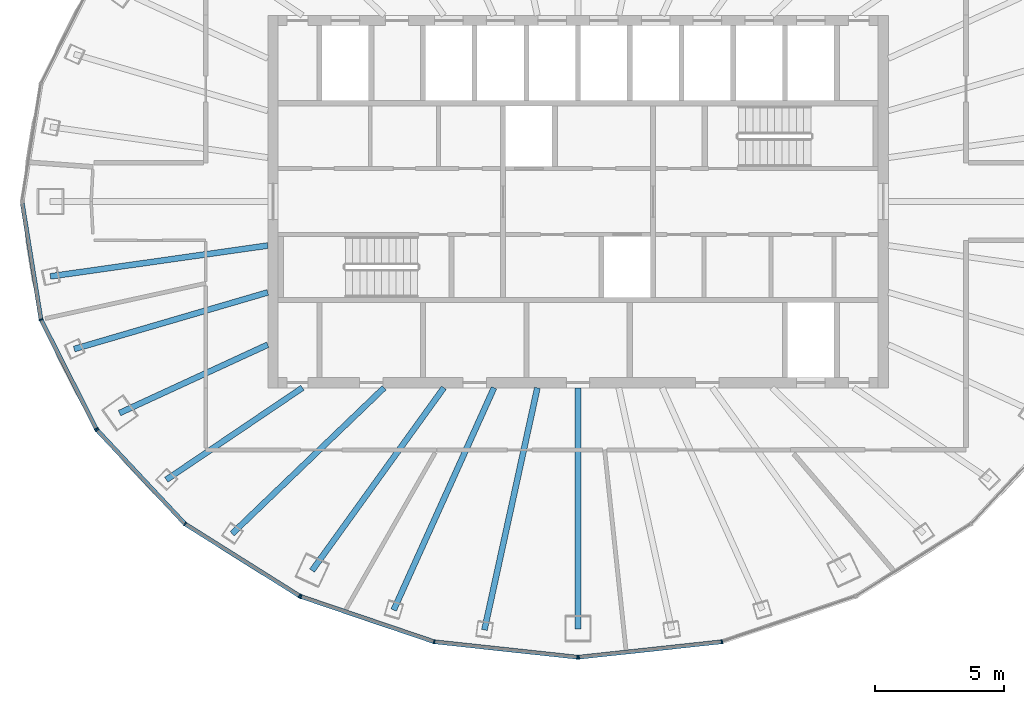
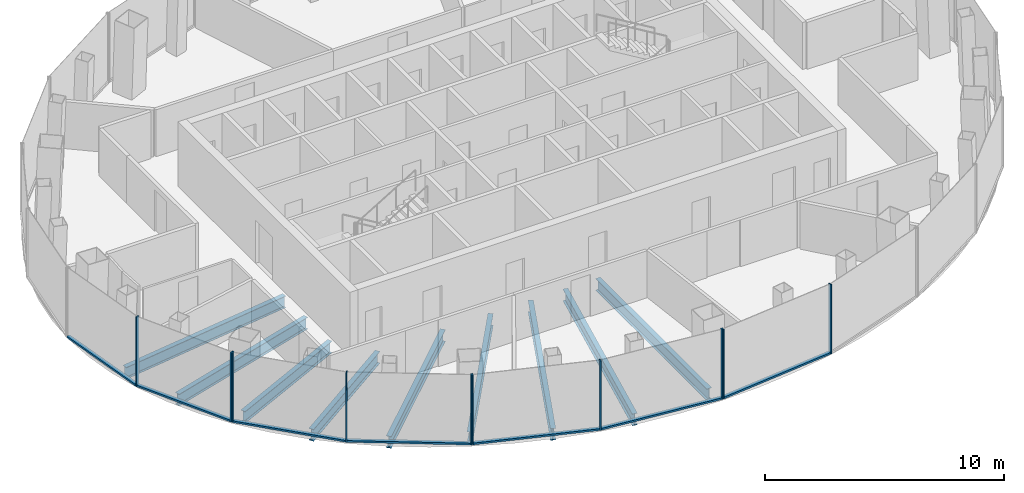
# One storey, part 2 of 12: 17 members, 9 beams, 4 elements without a shape of their own.
"""IFC4 building model written with IfcOpenShell, lengths in metres."""

from ifc_helpers import new_model, si_unit, direction, frame, origin, origin_2d, place, context, subcontext, project, spatial, rectangle, i_section, extrude, material, layer, layer_set, material_profile, profile_set, type_object, element, aggregate, save


model = new_model("IFC4")

# Units and contexts
model_context = context("Model", 3, precision=1e-05, world=origin(), true_north=direction((0.0, 1.0)))
body_context = subcontext(model_context, "Body", "Model", "MODEL_VIEW")
ifc_project = project(units=[si_unit("LENGTHUNIT", "METRE"), si_unit("AREAUNIT", "SQUARE_METRE"), si_unit("VOLUMEUNIT", "CUBIC_METRE"), si_unit("PLANEANGLEUNIT", "RADIAN"), si_unit("MASSUNIT", "GRAM", prefix="KILO")], contexts=[model_context])

# Site, building, storey
site_placement = place(None, origin())
site = spatial("IfcSite", under=ifc_project, at=site_placement, CompositionType="ELEMENT")
building_placement = place(site_placement, origin())
building = spatial("IfcBuilding", under=site, at=building_placement, Name="Siaravel Broadcast Tower", CompositionType="ELEMENT")
storey_placement = place(building_placement, frame((0.0, 0.0, 231.89990234375)))
storey = spatial("IfcBuildingStorey", under=building, at=storey_placement, Name="L56", CompositionType="ELEMENT", Elevation=231.89990234375)

# Beams
ifc_material_1 = material(Name="Steel S355", Category="steel")
ifc_material_profile_1 = material_profile(ifc_material_1, i_section(OverallWidth=0.2275390625, OverallDepth=0.6025390625, WebThickness=0.010498046875, FlangeThickness=0.014892578125, FilletRadius=0.0126953125, at=origin_2d()))
ifc_profile_set_1 = profile_set([ifc_material_profile_1], Name="Steel S355")
beam_type = type_object("IfcBeamType", Name="BM-UB 610x229x101", PredefinedType="BEAM", material=ifc_profile_set_1)
beam_1_placement = place(storey_placement, frame((-20.406982421875, -2.89208984375, -0.451171875), z_axis=(0.990107016, 0.14031428, 0.0), x_axis=(-0.14031428, 0.990107016, 0.0)))
element("IfcBeam", 1, at=beam_1_placement, inside=storey, type_object=beam_type, Name="Radial beam RB20", PredefinedType="BEAM", context=body_context, shape_type="SweptSolid", body=[
    extrude(i_section(OverallWidth=0.2275390625, OverallDepth=0.6025390625, WebThickness=0.010498046875, FlangeThickness=0.014892578125, FilletRadius=0.0126953125, at=origin_2d()), origin(), (0.0, 0.0, 1.0), 8.490966796875),
])
beam_2_placement = place(storey_placement, frame((-19.4873046875, -5.702880859375, -0.451171875), z_axis=(0.959745843, 0.280869928, 0.0), x_axis=(-0.280869928, 0.959745843, 0.0)))
element("IfcBeam", 2, at=beam_2_placement, inside=storey, type_object=beam_type, Name="Radial beam RB21", PredefinedType="BEAM", context=body_context, shape_type="SweptSolid", body=[
    extrude(i_section(OverallWidth=0.2275390625, OverallDepth=0.6025390625, WebThickness=0.010498046875, FlangeThickness=0.014892578125, FilletRadius=0.0126953125, at=origin_2d()), origin(), (0.0, 0.0, 1.0), 7.80126953125),
])
beam_3_placement = place(storey_placement, frame((-17.734375, -8.17822265625, -0.451171875), z_axis=(0.90810078, 0.418751684, 0.0), x_axis=(-0.418751684, 0.90810078, 0.0)))
element("IfcBeam", 3, at=beam_3_placement, inside=storey, type_object=beam_type, Name="Radial beam RB22", PredefinedType="BEAM", context=body_context, shape_type="SweptSolid", body=[
    extrude(i_section(OverallWidth=0.2275390625, OverallDepth=0.6025390625, WebThickness=0.010498046875, FlangeThickness=0.014892578125, FilletRadius=0.0126953125, at=origin_2d()), origin(), (0.0, 0.0, 1.0), 6.314697265625),
])
beam_4_placement = place(storey_placement, frame((-15.92333984375, -10.756103515625, -0.451171875), z_axis=(0.828653044, 0.559762568, 0.0), x_axis=(-0.559762568, 0.828653044, 0.0)))
element("IfcBeam", 4, at=beam_4_placement, inside=storey, type_object=beam_type, Name="Radial beam RB23", PredefinedType="BEAM", context=body_context, shape_type="SweptSolid", body=[
    extrude(i_section(OverallWidth=0.2275390625, OverallDepth=0.6025390625, WebThickness=0.010498046875, FlangeThickness=0.014892578125, FilletRadius=0.0126953125, at=origin_2d()), origin(), (0.0, 0.0, 1.0), 6.35302734375),
])
beam_5_placement = place(storey_placement, frame((-13.377197265625, -12.841552734375, -0.451171875), z_axis=(0.721404089, 0.692514361, 0.0), x_axis=(-0.692514361, 0.721404089, 0.0)))
element("IfcBeam", 5, at=beam_5_placement, inside=storey, type_object=beam_type, Name="Radial beam RB24", PredefinedType="BEAM", context=body_context, shape_type="SweptSolid", body=[
    extrude(i_section(OverallWidth=0.2275390625, OverallDepth=0.6025390625, WebThickness=0.010498046875, FlangeThickness=0.014892578125, FilletRadius=0.0126953125, at=origin_2d()), origin(), (0.0, 0.0, 1.0), 8.146484375),
])
beam_6_placement = place(storey_placement, frame((-10.28759765625, -14.2685546875, -0.451171875), z_axis=(0.584818295, 0.811164324, 0.0), x_axis=(-0.811164324, 0.584818295, 0.0)))
element("IfcBeam", 6, at=beam_6_placement, inside=storey, type_object=beam_type, Name="Radial beam RB25", PredefinedType="BEAM", context=body_context, shape_type="SweptSolid", body=[
    extrude(i_section(OverallWidth=0.2275390625, OverallDepth=0.6025390625, WebThickness=0.010498046875, FlangeThickness=0.014892578125, FilletRadius=0.0126953125, at=origin_2d()), origin(), (0.0, 0.0, 1.0), 8.714111328125),
])
beam_7_placement = place(storey_placement, frame((-7.13037109375, -15.79443359375, -0.451171875), z_axis=(0.411454915, 0.911430114, 0.0), x_axis=(-0.911430114, 0.411454915, 0.0)))
element("IfcBeam", 7, at=beam_7_placement, inside=storey, type_object=beam_type, Name="Radial beam RB26", PredefinedType="BEAM", context=body_context, shape_type="SweptSolid", body=[
    extrude(i_section(OverallWidth=0.2275390625, OverallDepth=0.6025390625, WebThickness=0.010498046875, FlangeThickness=0.014892578125, FilletRadius=0.0126953125, at=origin_2d()), origin(), (0.0, 0.0, 1.0), 9.4296875),
])
beam_8_placement = place(storey_placement, frame((-3.621826171875, -16.564453125, -0.451171875), z_axis=(0.213609528, 0.976919121, 0.0), x_axis=(-0.976919121, 0.213609528, 0.0)))
element("IfcBeam", 8, at=beam_8_placement, inside=storey, type_object=beam_type, Name="Radial beam RB27", PredefinedType="BEAM", context=body_context, shape_type="SweptSolid", body=[
    extrude(i_section(OverallWidth=0.2275390625, OverallDepth=0.6025390625, WebThickness=0.010498046875, FlangeThickness=0.014892578125, FilletRadius=0.0126953125, at=origin_2d()), origin(), (0.0, 0.0, 1.0), 9.585693359375),
])
beam_9_placement = place(storey_placement, frame((0.0, -16.524169921875, -0.451171875), z_axis=(0.0, 1.0, 0.0), x_axis=(-1.0, 0.0, 0.0)))
element("IfcBeam", 9, at=beam_9_placement, inside=storey, type_object=beam_type, Name="Radial beam RB28", PredefinedType="BEAM", context=body_context, shape_type="SweptSolid", body=[
    extrude(i_section(OverallWidth=0.2275390625, OverallDepth=0.6025390625, WebThickness=0.010498046875, FlangeThickness=0.014892578125, FilletRadius=0.0126953125, at=origin_2d()), origin(), (0.0, 0.0, 1.0), 9.32421875),
])

# Curtain wall, members
ifc_material_2 = material(Name="Aluminium 6063-T6", Category="aluminium")
ifc_layer = layer(ifc_material_2, 0.159912109375)
ifc_layer_set = layer_set([ifc_layer], Name="Aluminium 6063-T6")
curtain_wall_type = type_object("IfcCurtainWallType", Name="Unitised curtain wall, zone 4", PredefinedType="NOTDEFINED", material=ifc_layer_set)
curtain_wall_1_placement = place(storey_placement, origin())
curtain_wall_1 = element("IfcCurtainWall", 10, at=curtain_wall_1_placement, inside=storey, type_object=curtain_wall_type, Name="L56 Unitised curtain wall, zone 4 07", PredefinedType="NOTDEFINED")
ifc_material_profile_2 = material_profile(ifc_material_2, rectangle(XDim=0.159912109375, YDim=0.054931640625, at=origin_2d()))
ifc_profile_set_2 = profile_set([ifc_material_profile_2], Name="Aluminium 6063-T6")
member_type_1 = type_object("IfcMemberType", Name="CW-Z4 mullion", PredefinedType="MULLION", material=ifc_profile_set_2)
member_1_placement = place(storey_placement, frame((-20.7685546875, -4.5634765625, 0.0), z_axis=(0.0, 0.0, 1.0), x_axis=(0.951177556, 0.308644223, 0.0)))
member_1 = element("IfcMember", 11, at=member_1_placement, type_object=member_type_1, Name="CW-Z4 mullion 2", PredefinedType="MULLION", context=body_context, shape_type="SweptSolid", body=[
    extrude(rectangle(XDim=0.159912109375, YDim=0.054931640625, at=origin_2d()), origin(), (0.0, 0.0, 1.0), 3.550048828125),
])
member_2_placement = place(storey_placement, frame((-18.63134765625, -8.7900390625, 0.0), z_axis=(0.0, 0.0, 1.0), x_axis=(0.89239278, 0.451259489, 0.0)))
member_2 = element("IfcMember", 12, at=member_2_placement, type_object=member_type_1, Name="CW-Z4 mullion 3", PredefinedType="MULLION", context=body_context, shape_type="SweptSolid", body=[
    extrude(rectangle(XDim=0.159912109375, YDim=0.054931640625, at=origin_2d()), origin(), (0.0, 0.0, 1.0), 3.550048828125),
])

curtain_wall_2_placement = place(storey_placement, origin())
curtain_wall_2 = element("IfcCurtainWall", 13, at=curtain_wall_2_placement, inside=storey, type_object=curtain_wall_type, Name="L56 Unitised curtain wall, zone 4 08", PredefinedType="NOTDEFINED")
member_3_placement = place(storey_placement, frame((-18.60009765625, -8.834716796875, 0.0), z_axis=(0.0, 0.0, 1.0), x_axis=(0.72980635, 0.683653927, 0.0)))
member_3 = element("IfcMember", 14, at=member_3_placement, type_object=member_type_1, Name="CW-Z4 mullion 1", PredefinedType="MULLION", context=body_context, shape_type="SweptSolid", body=[
    extrude(rectangle(XDim=0.159912109375, YDim=0.054931640625, at=origin_2d()), origin(), (0.0, 0.0, 1.0), 3.550048828125),
])
member_4_placement = place(storey_placement, frame((-15.200439453125, -12.463623046875, 0.0), z_axis=(0.0, 0.0, 1.0), x_axis=(0.636219746, 0.771507897, 0.0)))
member_4 = element("IfcMember", 15, at=member_4_placement, type_object=member_type_1, Name="CW-Z4 mullion 2", PredefinedType="MULLION", context=body_context, shape_type="SweptSolid", body=[
    extrude(rectangle(XDim=0.159912109375, YDim=0.054931640625, at=origin_2d()), origin(), (0.0, 0.0, 1.0), 3.550048828125),
])
member_5_placement = place(storey_placement, frame((-10.770751953125, -15.248046875, 0.0), z_axis=(0.0, 0.0, 1.0), x_axis=(0.532150293, 0.846649907, 0.0)))
member_5 = element("IfcMember", 16, at=member_5_placement, type_object=member_type_1, Name="CW-Z4 mullion 3", PredefinedType="MULLION", context=body_context, shape_type="SweptSolid", body=[
    extrude(rectangle(XDim=0.159912109375, YDim=0.054931640625, at=origin_2d()), origin(), (0.0, 0.0, 1.0), 3.550048828125),
])

curtain_wall_3_placement = place(storey_placement, origin())
curtain_wall_3 = element("IfcCurtainWall", 17, at=curtain_wall_3_placement, inside=storey, type_object=curtain_wall_type, Name="L56 Unitised curtain wall, zone 4 09", PredefinedType="NOTDEFINED")
member_6_placement = place(storey_placement, frame((-10.72119140625, -15.271484375, 0.0), z_axis=(0.0, 0.0, 1.0), x_axis=(0.321301352, 0.946977002, 0.0)))
member_6 = element("IfcMember", 18, at=member_6_placement, type_object=member_type_1, Name="CW-Z4 mullion 1", PredefinedType="MULLION", context=body_context, shape_type="SweptSolid", body=[
    extrude(rectangle(XDim=0.159912109375, YDim=0.054931640625, at=origin_2d()), origin(), (0.0, 0.0, 1.0), 3.550048828125),
])
member_7_placement = place(storey_placement, frame((-5.56298828125, -17.021728515625, 0.0), z_axis=(0.0, 0.0, 1.0), x_axis=(0.215558569, 0.976490913, 0.0)))
member_7 = element("IfcMember", 19, at=member_7_placement, type_object=member_type_1, Name="CW-Z4 mullion 2", PredefinedType="MULLION", context=body_context, shape_type="SweptSolid", body=[
    extrude(rectangle(XDim=0.159912109375, YDim=0.054931640625, at=origin_2d()), origin(), (0.0, 0.0, 1.0), 3.550048828125),
])
member_8_placement = place(storey_placement, frame((-0.02734375, -17.61865234375, 0.0), z_axis=(0.0, 0.0, 1.0), x_axis=(0.107217743, 0.994235563, 0.0)))
member_8 = element("IfcMember", 20, at=member_8_placement, type_object=member_type_1, Name="CW-Z4 mullion 3", PredefinedType="MULLION", context=body_context, shape_type="SweptSolid", body=[
    extrude(rectangle(XDim=0.159912109375, YDim=0.054931640625, at=origin_2d()), origin(), (0.0, 0.0, 1.0), 3.550048828125),
])

curtain_wall_4_placement = place(storey_placement, origin())
curtain_wall_4 = element("IfcCurtainWall", 21, at=curtain_wall_4_placement, inside=storey, type_object=curtain_wall_type, Name="L56 Unitised curtain wall, zone 4 10", PredefinedType="NOTDEFINED")
member_9_placement = place(storey_placement, frame((0.02734375, -17.61865234375, 0.0), z_axis=(0.0, 0.0, 1.0), x_axis=(-0.107217743, 0.994235563, 0.0)))
member_9 = element("IfcMember", 22, at=member_9_placement, type_object=member_type_1, Name="CW-Z4 mullion 1", PredefinedType="MULLION", context=body_context, shape_type="SweptSolid", body=[
    extrude(rectangle(XDim=0.159912109375, YDim=0.054931640625, at=origin_2d()), origin(), (0.0, 0.0, 1.0), 3.550048828125),
])
member_10_placement = place(storey_placement, frame((5.56298828125, -17.021728515625, 0.0), z_axis=(0.0, 0.0, 1.0), x_axis=(-0.215558569, 0.976490913, 0.0)))
member_10 = element("IfcMember", 23, at=member_10_placement, type_object=member_type_1, Name="CW-Z4 mullion 2", PredefinedType="MULLION", context=body_context, shape_type="SweptSolid", body=[
    extrude(rectangle(XDim=0.159912109375, YDim=0.054931640625, at=origin_2d()), origin(), (0.0, 0.0, 1.0), 3.550048828125),
])

# Member
ifc_material_profile_3 = material_profile(ifc_material_2, rectangle(XDim=0.159912109375, YDim=0.090087890625, at=origin_2d()))
ifc_profile_set_3 = profile_set([ifc_material_profile_3], Name="Aluminium 6063-T6")
member_type_2 = type_object("IfcMemberType", Name="CW-Z4 transom", PredefinedType="USERDEFINED", material=ifc_profile_set_3)
member_11_placement = place(storey_placement, frame((-21.493408203125, -0.05419921875, 0.045166015625), z_axis=(0.158701499, -0.98732661, 0.0), x_axis=(0.98732661, 0.158701499, 0.0)))
member_11 = element("IfcMember", 24, at=member_11_placement, type_object=member_type_2, Name="CW-Z4 transom 1", ObjectType="TRANSOM", PredefinedType="USERDEFINED", context=body_context, shape_type="SweptSolid", body=[
    extrude(rectangle(XDim=0.159912109375, YDim=0.090087890625, at=origin_2d()), origin(), (0.0, 0.0, 1.0), 4.539794921875),
])

member_12_placement = place(storey_placement, frame((-20.756103515625, -4.587890625, 0.045166015625), z_axis=(0.451235344, -0.892404989, 0.0), x_axis=(0.892404989, 0.451235344, 0.0)))
member_12 = element("IfcMember", 25, at=member_12_placement, type_object=member_type_2, Name="CW-Z4 transom 2", ObjectType="TRANSOM", PredefinedType="USERDEFINED", context=body_context, shape_type="SweptSolid", body=[
    extrude(rectangle(XDim=0.159912109375, YDim=0.090087890625, at=origin_2d()), origin(), (0.0, 0.0, 1.0), 4.68115234375),
])

aggregate(curtain_wall_1, [member_1, member_2, member_11, member_12])

member_13_placement = place(storey_placement, frame((-18.581298828125, -8.854736328125, 0.045166015625), z_axis=(0.68367025, -0.729791059, 0.0), x_axis=(0.729791059, 0.68367025, 0.0)))
member_13 = element("IfcMember", 26, at=member_13_placement, type_object=member_type_2, Name="CW-Z4 transom 1", ObjectType="TRANSOM", PredefinedType="USERDEFINED", context=body_context, shape_type="SweptSolid", body=[
    extrude(rectangle(XDim=0.159912109375, YDim=0.090087890625, at=origin_2d()), origin(), (0.0, 0.0, 1.0), 4.917724609375),
])

member_14_placement = place(storey_placement, frame((-15.17724609375, -12.478271484375, 0.045166015625), z_axis=(0.846644441, -0.53215899, 0.0), x_axis=(0.53215899, 0.846644441, 0.0)))
member_14 = element("IfcMember", 27, at=member_14_placement, type_object=member_type_2, Name="CW-Z4 transom 2", ObjectType="TRANSOM", PredefinedType="USERDEFINED", context=body_context, shape_type="SweptSolid", body=[
    extrude(rectangle(XDim=0.159912109375, YDim=0.090087890625, at=origin_2d()), origin(), (0.0, 0.0, 1.0), 5.17724609375),
])

aggregate(curtain_wall_2, [member_3, member_4, member_5, member_13, member_14])

member_15_placement = place(storey_placement, frame((-10.6953125, -15.2802734375, 0.045166015625), z_axis=(0.946971812, -0.321316645, 0.0), x_axis=(0.321316645, 0.946971812, 0.0)))
member_15 = element("IfcMember", 28, at=member_15_placement, type_object=member_type_2, Name="CW-Z4 transom 1", ObjectType="TRANSOM", PredefinedType="USERDEFINED", context=body_context, shape_type="SweptSolid", body=[
    extrude(rectangle(XDim=0.159912109375, YDim=0.090087890625, at=origin_2d()), origin(), (0.0, 0.0, 1.0), 5.392333984375),
])

member_16_placement = place(storey_placement, frame((-5.53564453125, -17.024658203125, 0.045166015625), z_axis=(0.994235535, -0.107218006, 0.0), x_axis=(0.107218006, 0.994235535, 0.0)))
member_16 = element("IfcMember", 29, at=member_16_placement, type_object=member_type_2, Name="CW-Z4 transom 2", ObjectType="TRANSOM", PredefinedType="USERDEFINED", context=body_context, shape_type="SweptSolid", body=[
    extrude(rectangle(XDim=0.159912109375, YDim=0.090087890625, at=origin_2d()), origin(), (0.0, 0.0, 1.0), 5.5126953125),
])

aggregate(curtain_wall_3, [member_6, member_7, member_8, member_15, member_16])

member_17_placement = place(storey_placement, frame((0.0546875, -17.61572265625, 0.045166015625), z_axis=(0.994235535, 0.107218006, 0.0), x_axis=(-0.107218006, 0.994235535, 0.0)))
member_17 = element("IfcMember", 30, at=member_17_placement, type_object=member_type_2, Name="CW-Z4 transom 1", ObjectType="TRANSOM", PredefinedType="USERDEFINED", context=body_context, shape_type="SweptSolid", body=[
    extrude(rectangle(XDim=0.159912109375, YDim=0.090087890625, at=origin_2d()), origin(), (0.0, 0.0, 1.0), 5.5126953125),
])

aggregate(curtain_wall_4, [member_9, member_10, member_17])

save(model, "model.ifc")
